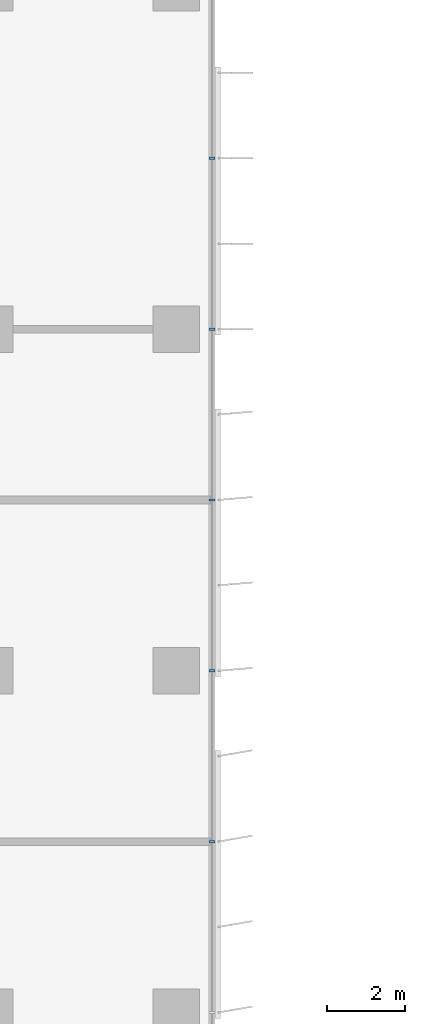
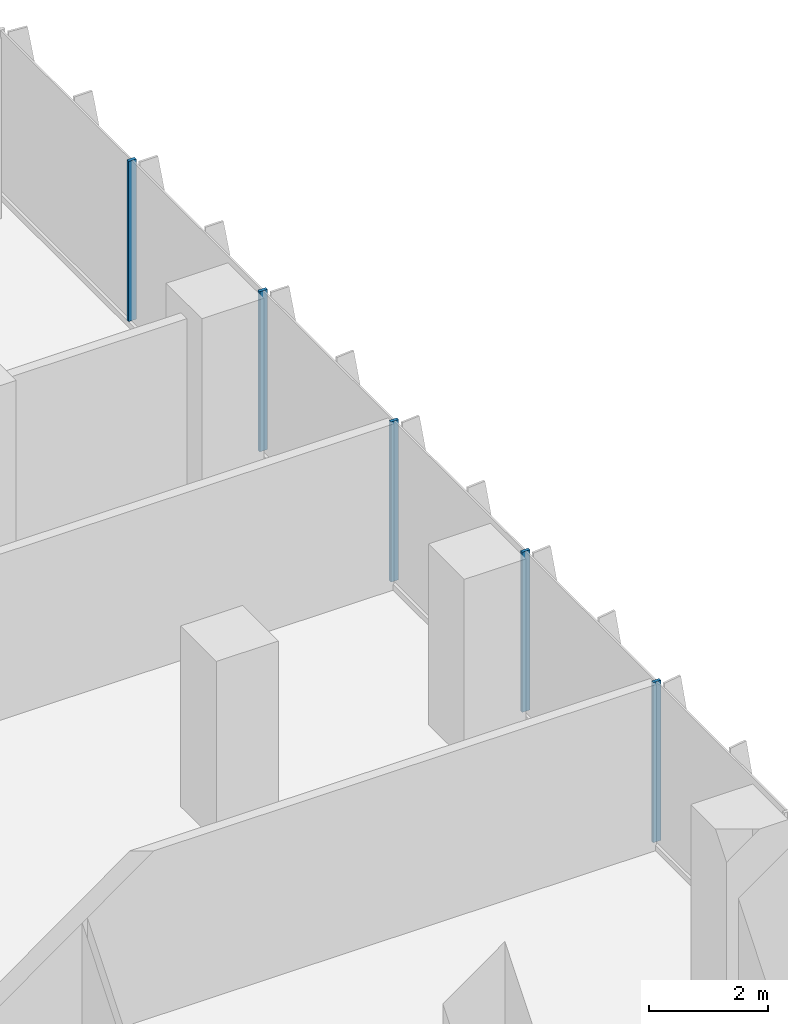
# One storey, part 5 of 22: 5 members, 1 element without a shape of its own.
"""IFC4 building model written with IfcOpenShell, lengths in metres."""

import ifcopenshell
import ifcopenshell.guid

model = None  # the IFC model being written
_history = None  # IfcOwnerHistory: only IFC2X3 demands one
_inside = {}  # id of a spatial element -> (the spatial element, [elements in it])
_under = {}  # id of a project, library or spatial element -> (it, [spatial elements below it])
_declared = {}  # id of a project -> (the project, [libraries it declares])
_typed = {}  # id of a type object -> (the type object, [elements of that type])
_made_of = {}  # id of a material, layer set ... -> (it, [elements and type objects made of it])


def new_model(schema):
    """Start an empty IFC model of exactly this schema.

    Asked for "IFC4X3", IfcOpenShell would pick the latest addendum, in which some entities
    have other attributes; the version numbers below select the first issue.
    IFC2X3 requires an IfcOwnerHistory on every rooted entity: one is made here for all.
    """
    global model, _history
    if schema == "IFC4X3":
        model = ifcopenshell.file(schema_version=(4, 3, 0, 0))
    else:
        model = ifcopenshell.file(schema=schema)
    _inside.clear()
    _under.clear()
    _declared.clear()
    _typed.clear()
    _made_of.clear()
    _history = None
    if model.schema == "IFC2X3":
        org = make("IfcOrganization", Name="unknown")
        user = make(
            "IfcPersonAndOrganization",
            ThePerson=make("IfcPerson", FamilyName="unknown"),
            TheOrganization=org,
        )
        app = make(
            "IfcApplication",
            ApplicationDeveloper=org,
            Version="unknown",
            ApplicationFullName="unknown",
            ApplicationIdentifier="unknown",
        )
        _history = make(
            "IfcOwnerHistory",
            OwningUser=user,
            OwningApplication=app,
            ChangeAction="ADDED",
            CreationDate=0,
        )
    return model


def make(cls, **values):
    """One entity of the class cls with the attributes given. An attribute that is None is left unset."""
    return model.create_entity(
        cls, **{name: value for name, value in values.items() if value is not None}
    )


def rooted(cls, **values):
    """An entity with a GlobalId (a new one), such as an element, a storey or a relation."""
    return make(cls, GlobalId=ifcopenshell.guid.new(), OwnerHistory=_history, **values)


def si_unit(unit_type, name, prefix=None):
    """IfcSIUnit, for example si_unit("LENGTHUNIT", "METRE", prefix="MILLI")."""
    return make("IfcSIUnit", UnitType=unit_type, Prefix=prefix, Name=name)


def assignment(units):
    """IfcUnitAssignment: the units of a project."""
    return None if units is None else make("IfcUnitAssignment", Units=units)


def point(xyz):
    """IfcCartesianPoint."""
    return None if xyz is None else make("IfcCartesianPoint", Coordinates=xyz)


def direction(xyz):
    """IfcDirection."""
    return None if xyz is None else make("IfcDirection", DirectionRatios=xyz)


def frame(location, z_axis=None, x_axis=None):
    """IfcAxis2Placement3D, a coordinate frame: its origin and axes. An axis left out is left unset."""
    return make(
        "IfcAxis2Placement3D",
        Location=point(location),
        Axis=direction(z_axis),
        RefDirection=direction(x_axis),
    )


def frame_2d(location, x_axis=None):
    """IfcAxis2Placement2D, a coordinate frame in the plane: its origin and x axis."""
    return make(
        "IfcAxis2Placement2D", Location=point(location), RefDirection=direction(x_axis)
    )


def origin():
    """The frame at (0, 0, 0) with its axes left unset."""
    return frame((0.0, 0.0, 0.0))


def origin_2d():
    """The frame at (0, 0) in the plane with its x axis left unset."""
    return frame_2d((0.0, 0.0))


def place(relative_to, where):
    """IfcLocalPlacement: puts the frame where relative to a parent placement (None: the world)."""
    return make(
        "IfcLocalPlacement", PlacementRelTo=relative_to, RelativePlacement=where
    )


def context(
    kind, dimensions, precision=None, world=None, true_north=None, identifier=None
):
    """IfcGeometricRepresentationContext, for example the 3D "Model" context."""
    return make(
        "IfcGeometricRepresentationContext",
        ContextIdentifier=identifier,
        ContextType=kind,
        CoordinateSpaceDimension=dimensions,
        Precision=precision,
        WorldCoordinateSystem=world,
        TrueNorth=true_north,
    )


def subcontext(parent, identifier, kind, view, scale=None):
    """IfcGeometricRepresentationSubContext, for example "Body" below "Model"."""
    return make(
        "IfcGeometricRepresentationSubContext",
        ContextIdentifier=identifier,
        ContextType=kind,
        ParentContext=parent,
        TargetScale=scale,
        TargetView=view,
    )


def project(units=None, contexts=None):
    """IfcProject with its units and contexts."""
    return rooted(
        "IfcProject",
        Name="project",
        RepresentationContexts=contexts,
        UnitsInContext=assignment(units),
    )


def spatial(cls, under=None, at=None, **own):
    """A site, building, storey or space (cls), placed at a placement, below another one or the project."""
    s = rooted(cls, ObjectPlacement=at, **own)
    if under is not None:
        _under.setdefault(under.id(), (under, []))[1].append(s)
    return s


def profile(cls, at=None, kind="AREA", **sizes):
    """A parametric profile (cls). Its sizes go by their IFC names, for example OverallWidth=200.0."""
    return make(cls, ProfileType=kind, Position=at, **sizes)


def rectangle(**sizes):
    """IfcRectangleProfileDef."""
    return profile("IfcRectangleProfileDef", **sizes)


def extrude(swept, where, along, depth):
    """IfcExtrudedAreaSolid: the profile swept, set in the frame where, extruded along a direction by depth."""
    return make(
        "IfcExtrudedAreaSolid",
        SweptArea=swept,
        Position=where,
        ExtrudedDirection=direction(along),
        Depth=depth,
    )


def shape(context_of_items, identifier, shape_type, items):
    """IfcShapeRepresentation: the items that make up one representation, for example the "Body"."""
    return make(
        "IfcShapeRepresentation",
        ContextOfItems=context_of_items,
        RepresentationIdentifier=identifier,
        RepresentationType=shape_type,
        Items=items,
    )


def source(mapping_origin, context_of_items, identifier, shape_type, items):
    """IfcRepresentationMap: a shape defined once, which mapped items show again and again."""
    return make(
        "IfcRepresentationMap",
        MappingOrigin=mapping_origin,
        MappedRepresentation=shape(context_of_items, identifier, shape_type, items),
    )


def transform(
    local_origin,
    x_axis=None,
    y_axis=None,
    z_axis=None,
    scale=None,
    scale2=None,
    scale3=None,
    uniform=True,
):
    """IfcCartesianTransformationOperator3D, or its non-uniform kind. x_axis, y_axis, z_axis: its Axis1, 2, 3."""
    if uniform:
        return make(
            "IfcCartesianTransformationOperator3D",
            Axis1=direction(x_axis),
            Axis2=direction(y_axis),
            LocalOrigin=point(local_origin),
            Scale=scale,
            Axis3=direction(z_axis),
        )
    return make(
        "IfcCartesianTransformationOperator3DnonUniform",
        Axis1=direction(x_axis),
        Axis2=direction(y_axis),
        LocalOrigin=point(local_origin),
        Scale=scale,
        Axis3=direction(z_axis),
        Scale2=scale2,
        Scale3=scale3,
    )


def mapped(mapping_source, mapping_target):
    """IfcMappedItem: shows the shape of a source again, moved by a transform."""
    return make(
        "IfcMappedItem", MappingSource=mapping_source, MappingTarget=mapping_target
    )


def material(Name=None, Category=None):
    """IfcMaterial."""
    return make("IfcMaterial", Name=Name, Category=Category)


def material_profile(
    of_material, cross_section, Name=None, Category=None, Priority=None
):
    """IfcMaterialProfile: a cross section and its material."""
    return make(
        "IfcMaterialProfile",
        Name=Name,
        Material=of_material,
        Profile=cross_section,
        Priority=Priority,
        Category=Category,
    )


def profile_set(profiles, Name=None, composite=None):
    """IfcMaterialProfileSet."""
    return make(
        "IfcMaterialProfileSet",
        Name=Name,
        MaterialProfiles=profiles,
        CompositeProfile=composite,
    )


def made_of(thing, what):
    """Note that an element or type object is made of a material, layer set ...; save() writes the relation."""
    if what is not None:
        _made_of.setdefault(what.id(), (what, []))[1].append(thing)
    return thing


def type_object(cls, material=None, **own):
    """A type object (cls), such as IfcWallType, which elements share."""
    return made_of(rooted(cls, **own), material)


def element(
    cls,
    number,
    at=None,
    inside=None,
    cuts=None,
    type_object=None,
    material=None,
    context=None,
    identifier="Body",
    shape_type=None,
    held_by="IfcProductDefinitionShape",
    body=None,
    shapes=None,
    **own,
):
    """One element of the class cls, such as IfcWall. Its Tag is "e" and its number.

    at: its placement. inside: the storey or other place that contains it. cuts: it is an
    opening in that element (IfcRelVoidsElement). A single representation is given by context,
    identifier, shape_type and body (its items); several are given by shapes. held_by: the class
    of the entity that holds the representations. save() writes the other relations.
    """
    e = rooted(cls, Tag="e%d" % number, ObjectPlacement=at, **own)
    if body is not None:
        shapes = [shape(context, identifier, shape_type, body)]
    if shapes is not None:
        e.Representation = make(held_by, Representations=shapes)
    if inside is not None:
        _inside.setdefault(inside.id(), (inside, []))[1].append(e)
    if cuts is not None:
        rooted(
            "IfcRelVoidsElement", RelatingBuildingElement=cuts, RelatedOpeningElement=e
        )
    if type_object is not None:
        _typed.setdefault(type_object.id(), (type_object, []))[1].append(e)
    return made_of(e, material)


def aggregate(whole, parts):
    """IfcRelAggregates: a whole, such as a stair, and the parts it consists of."""
    return rooted("IfcRelAggregates", RelatingObject=whole, RelatedObjects=parts)


def save(model, path):
    """Write the relations noted so far, then the file.

    IfcRelAggregates (storeys below a building ...), IfcRelContainedInSpatialStructure (elements
    in a storey), IfcRelDefinesByType, IfcRelAssociatesMaterial and IfcRelDeclares: one each for
    every whole, place, type object, material and project.
    """
    for whole, parts in _under.values():
        aggregate(whole, parts)
    for where, things in _inside.values():
        rooted(
            "IfcRelContainedInSpatialStructure",
            RelatedElements=things,
            RelatingStructure=where,
        )
    for kind, things in _typed.values():
        rooted("IfcRelDefinesByType", RelatedObjects=things, RelatingType=kind)
    for what, things in _made_of.values():
        rooted("IfcRelAssociatesMaterial", RelatedObjects=things, RelatingMaterial=what)
    for by, libraries in _declared.values():
        rooted("IfcRelDeclares", RelatingContext=by, RelatedDefinitions=libraries)
    model.write(path)


model = new_model("IFC4")

# Units and contexts
model_context = context("Model", 3, precision=1e-05, world=origin(), true_north=direction((0.0, 1.0)))
body_context = subcontext(model_context, "Body", "Model", "MODEL_VIEW")
ifc_project = project(units=[si_unit("LENGTHUNIT", "METRE"), si_unit("AREAUNIT", "SQUARE_METRE"), si_unit("VOLUMEUNIT", "CUBIC_METRE"), si_unit("PLANEANGLEUNIT", "RADIAN"), si_unit("MASSUNIT", "GRAM", prefix="KILO")], contexts=[model_context])

# Site, building, storey
site_placement = place(None, origin())
site = spatial("IfcSite", under=ifc_project, at=site_placement, CompositionType="ELEMENT")
building_placement = place(site_placement, origin())
building = spatial("IfcBuilding", under=site, at=building_placement, Name="Kemantara Hotel Tower", CompositionType="ELEMENT")
storey_placement = place(building_placement, frame((0.0, 0.0, 122.199951171875)))
storey = spatial("IfcBuildingStorey", under=building, at=storey_placement, Name="L29", CompositionType="ELEMENT", Elevation=122.199951171875)

# Curtain wall, members
ifc_material_1 = material(Name="Low-E tinted double insulated glass 36 mm", Category="glass")
curtain_wall_type = type_object("IfcCurtainWallType", Name="TOWER CURTAIN WALL, FRONT FACES", PredefinedType="USERDEFINED", material=ifc_material_1)
curtain_wall_placement = place(storey_placement, origin())
curtain_wall = element("IfcCurtainWall", 1, at=curtain_wall_placement, inside=storey, type_object=curtain_wall_type, Name="CW4 L29 T2-R14-1", ObjectType="TOWER CURTAIN WALL, FRONT FACES", PredefinedType="USERDEFINED")
ifc_material_2 = material(Name="Aluminium 6063-T6 bronze anodised", Category="aluminium")
ifc_material_profile = material_profile(ifc_material_2, rectangle(XDim=0.14990234375, YDim=0.06005859375, at=origin_2d()), Name="TOWER CURTAIN WALL, FRONT FACES MULLION")
ifc_profile_set = profile_set([ifc_material_profile], Name="Aluminium 6063-T6 bronze anodised")
member_type = type_object("IfcMemberType", Name="TOWER CURTAIN WALL, FRONT FACES MULLION", PredefinedType="MULLION", material=ifc_profile_set)
shared_shape = source(origin(), body_context, "Body", "SweptSolid", [
    extrude(rectangle(XDim=0.14990234375, YDim=0.06005859375, at=origin_2d()), origin(), (0.0, 0.0, 1.0), 3.280029296875),
])
member_1_placement = place(storey_placement, frame((26.72509765625, 31.800048828125, 0.1201171875), z_axis=(0.0, 0.0, 1.0), x_axis=(-1.0, 0.0, 0.0)))
member_1 = element("IfcMember", 2, at=member_1_placement, type_object=member_type, Name="CW4 mullion T2-R14-1.4", PredefinedType="MULLION", context=body_context, shape_type="MappedRepresentation", body=[
    mapped(shared_shape, transform((0.0, 0.0, 0.0))),
])
member_2_placement = place(storey_placement, frame((26.72509765625, 36.199951171875, 0.1201171875), z_axis=(0.0, 0.0, 1.0), x_axis=(-1.0, 0.0, 0.0)))
member_2 = element("IfcMember", 3, at=member_2_placement, type_object=member_type, Name="CW4 mullion T2-R14-1.5", PredefinedType="MULLION", context=body_context, shape_type="MappedRepresentation", body=[
    mapped(shared_shape, transform((0.0, 0.0, 0.0))),
])
member_3_placement = place(storey_placement, frame((26.72509765625, 40.60009765625, 0.1201171875), z_axis=(0.0, 0.0, 1.0), x_axis=(-1.0, 0.0, 0.0)))
member_3 = element("IfcMember", 4, at=member_3_placement, type_object=member_type, Name="CW4 mullion T2-R14-1.6", PredefinedType="MULLION", context=body_context, shape_type="MappedRepresentation", body=[
    mapped(shared_shape, transform((0.0, 0.0, 0.0))),
])
member_4_placement = place(storey_placement, frame((26.72509765625, 45.0, 0.1201171875), z_axis=(0.0, 0.0, 1.0), x_axis=(-1.0, 0.0, 0.0)))
member_4 = element("IfcMember", 5, at=member_4_placement, type_object=member_type, Name="CW4 mullion T2-R14-1.7", PredefinedType="MULLION", context=body_context, shape_type="MappedRepresentation", body=[
    mapped(shared_shape, transform((0.0, 0.0, 0.0))),
])
member_5_placement = place(storey_placement, frame((26.72509765625, 49.39990234375, 0.1201171875), z_axis=(0.0, 0.0, 1.0), x_axis=(-1.0, 0.0, 0.0)))
member_5 = element("IfcMember", 6, at=member_5_placement, type_object=member_type, Name="CW4 mullion T2-R14-1.8", PredefinedType="MULLION", context=body_context, shape_type="MappedRepresentation", body=[
    mapped(shared_shape, transform((0.0, 0.0, 0.0))),
])
aggregate(curtain_wall, [member_1, member_2, member_3, member_4, member_5])

save(model, "model.ifc")
